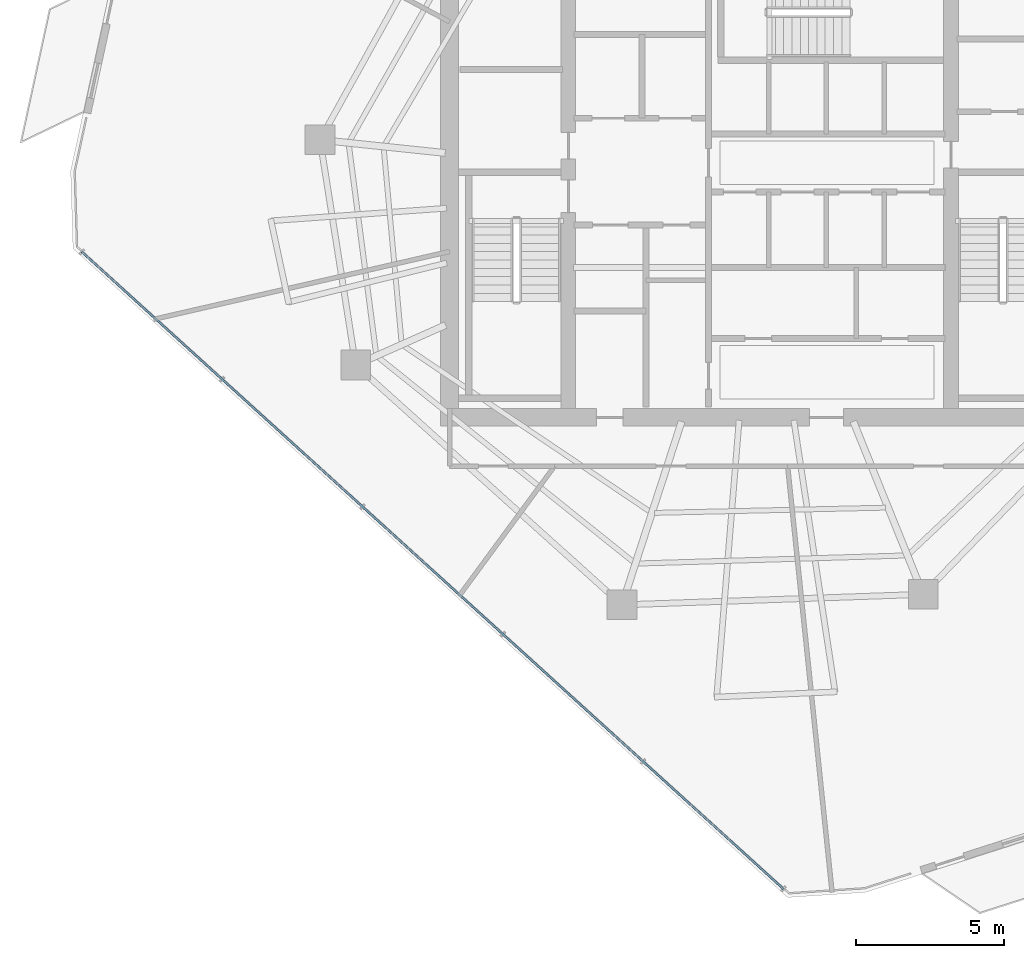
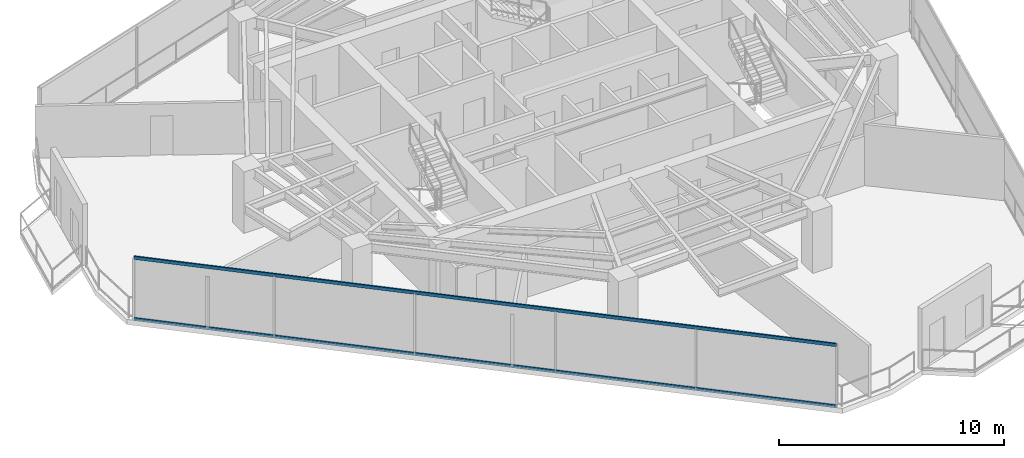
# One storey, part 3 of 21: 2 members, 1 element without a shape of its own.
"""IFC4 building model written with IfcOpenShell, lengths in metres."""

from ifc_helpers import new_model, si_unit, direction, frame, origin, origin_2d, place, context, subcontext, project, spatial, hollow_rectangle, extrude, material, layer, layer_set, material_profile, profile_set, type_object, element, aggregate, save


model = new_model("IFC4")

# Units and contexts
model_context = context("Model", 3, precision=1e-05, world=origin(), true_north=direction((0.0, 1.0)))
body_context = subcontext(model_context, "Body", "Model", "MODEL_VIEW")
ifc_project = project(units=[si_unit("LENGTHUNIT", "METRE"), si_unit("AREAUNIT", "SQUARE_METRE"), si_unit("VOLUMEUNIT", "CUBIC_METRE"), si_unit("PLANEANGLEUNIT", "RADIAN"), si_unit("MASSUNIT", "GRAM", prefix="KILO")], contexts=[model_context])

# Site, building, storey
site_placement = place(None, origin())
site = spatial("IfcSite", under=ifc_project, at=site_placement, CompositionType="ELEMENT")
building_placement = place(site_placement, origin())
building = spatial("IfcBuilding", under=site, at=building_placement, Name="Qarnah Convention Tower", CompositionType="ELEMENT")
storey_placement = place(building_placement, frame((0.0, 0.0, 132.89990234375)))
storey = spatial("IfcBuildingStorey", under=building, at=storey_placement, Name="L35", CompositionType="ELEMENT", Elevation=132.89990234375)

# Curtain wall, members
ifc_material_1 = material(Name="Tempered Low-E dark glass", Category="glass")
ifc_layer = layer(ifc_material_1, 0.172119140625)
ifc_layer_set = layer_set([ifc_layer], Name="Tempered Low-E dark glass")
curtain_wall_type = type_object("IfcCurtainWallType", Name="CWS-03", PredefinedType="NOTDEFINED", material=ifc_layer_set)
curtain_wall_placement = place(storey_placement, origin())
curtain_wall = element("IfcCurtainWall", 1, at=curtain_wall_placement, inside=storey, type_object=curtain_wall_type, Name="L35 unitised curtain wall CW-L35-F1", PredefinedType="NOTDEFINED")
ifc_material_2 = material(Name="Black anodised aluminium", Category="aluminium")
ifc_material_profile = material_profile(ifc_material_2, hollow_rectangle(XDim=0.070068359375, YDim=0.169921875, WallThickness=0.0048828125, at=origin_2d()), Name="TRN-70X170")
ifc_profile_set = profile_set([ifc_material_profile], Name="Black anodised aluminium")
member_type = type_object("IfcMemberType", Name="TRN-T3", PredefinedType="USERDEFINED", material=ifc_profile_set)
member_1_placement = place(storey_placement, frame((38.050048828125, 2.702880859375, 0.0), z_axis=(-0.740348784787, 0.672222936878, 0.0), x_axis=(-0.672222936878, -0.740348784787, 0.0)))
member_1 = element("IfcMember", 2, at=member_1_placement, type_object=member_type, Name="CW-L35-F1 transom 1", ObjectType="TRANSOM", PredefinedType="USERDEFINED", context=body_context, shape_type="SweptSolid", body=[
    extrude(hollow_rectangle(XDim=0.070068359375, YDim=0.169921875, WallThickness=0.0048828125, at=origin_2d()), origin(), (0.0, 0.0, 1.0), 31.937744140625),
])
member_2_placement = place(storey_placement, frame((38.050048828125, 2.702880859375, 3.320068359375), z_axis=(-0.740348784787, 0.672222936878, 0.0), x_axis=(-0.672222936878, -0.740348784787, 0.0)))
member_2 = element("IfcMember", 3, at=member_2_placement, type_object=member_type, Name="CW-L35-F1 transom 2", ObjectType="TRANSOM", PredefinedType="USERDEFINED", context=body_context, shape_type="SweptSolid", body=[
    extrude(hollow_rectangle(XDim=0.070068359375, YDim=0.169921875, WallThickness=0.0048828125, at=origin_2d()), origin(), (0.0, 0.0, 1.0), 31.937744140625),
])
aggregate(curtain_wall, [member_1, member_2])

save(model, "model.ifc")
